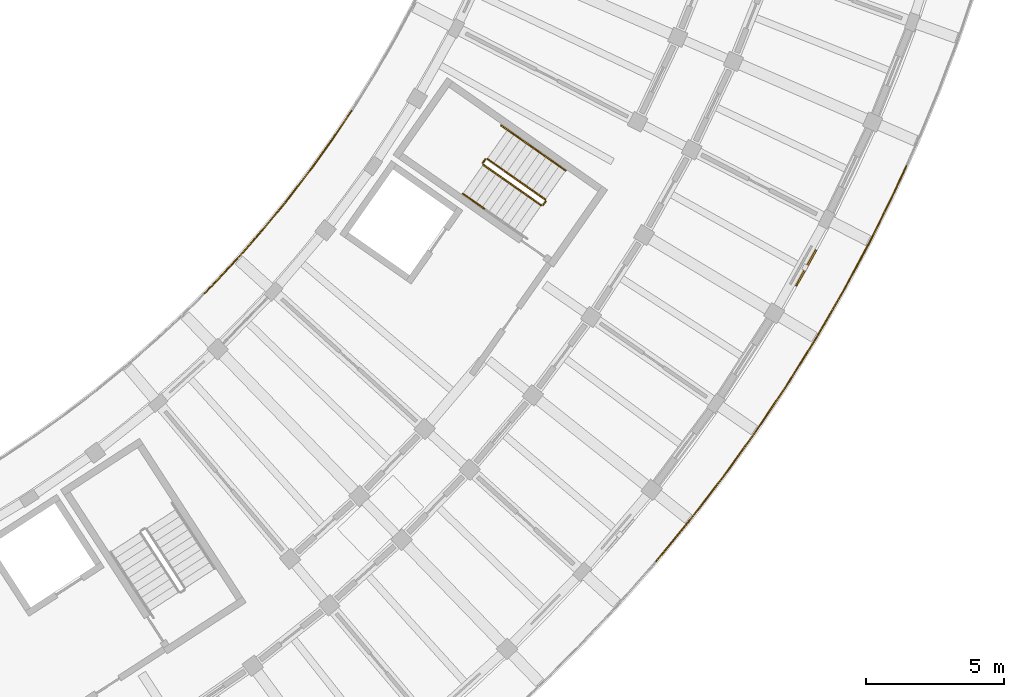
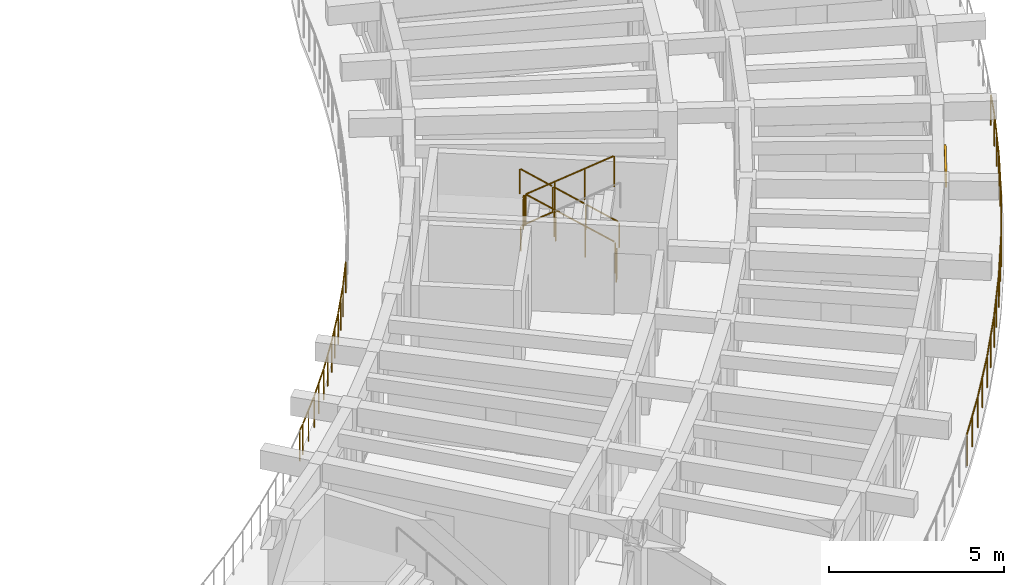
# One storey, part 63 of 69: 11 railings, 1 shading device.
"""IFC4 building model written with IfcOpenShell, lengths in metres."""

from ifc_helpers import new_model, si_unit, direction, frame, origin, origin_2d, place, context, subcontext, project, spatial, rectangle, circle, extrude, material, layer, layer_set, type_object, element, save


model = new_model("IFC4")

# Units and contexts
model_context = context("Model", 3, precision=1e-05, world=origin(), true_north=direction((0.0, 1.0)))
body_context = subcontext(model_context, "Body", "Model", "MODEL_VIEW")
ifc_project = project(units=[si_unit("LENGTHUNIT", "METRE"), si_unit("AREAUNIT", "SQUARE_METRE"), si_unit("VOLUMEUNIT", "CUBIC_METRE"), si_unit("PLANEANGLEUNIT", "RADIAN"), si_unit("MASSUNIT", "GRAM", prefix="KILO")], contexts=[model_context])

# Site, building, storey
site_placement = place(None, origin())
site = spatial("IfcSite", under=ifc_project, at=site_placement, CompositionType="ELEMENT")
building_placement = place(site_placement, origin())
building = spatial("IfcBuilding", under=site, at=building_placement, Name="Tanwirah Colonnade Gardens", CompositionType="ELEMENT")
storey_placement = place(building_placement, frame((0.0, 0.0, 15.56005859375)))
storey = spatial("IfcBuildingStorey", under=building, at=storey_placement, Name="L04", CompositionType="ELEMENT", Elevation=15.56005859375)

# Railings
ifc_material_1 = material(Name="Precast concrete C40/50", Category="concrete")
railing_type_1 = type_object("IfcRailingType", Name="BAL-EXT110", PredefinedType="BALUSTRADE", material=ifc_material_1)
railing_1_placement = place(storey_placement, frame((151.4033203125, 34.55224609375, 0.0)))
element("IfcRailing", 1, at=railing_1_placement, inside=storey, type_object=railing_type_1, Name="Block D L04 Balcony Ribbon Balustrade 4", PredefinedType="BALUSTRADE", context=body_context, shape_type="SweptSolid", body=[
    extrude(circle(Radius=0.02392578125, at=origin_2d()), frame((0.022216796875, 0.02197265625, 1.076171875), z_axis=(0.707849930104, 0.706362850419, 0.0), x_axis=(-0.706362850419, 0.707849930104, 0.0)), (0.0, 0.0, 1.0), 0.265869140625),
    extrude(circle(Radius=0.02392578125, at=origin_2d()), frame((0.255615234375, 0.256591796875, 1.076171875), z_axis=(0.684424509294, 0.729083733928, 0.0), x_axis=(-0.729083733928, 0.684424509294, 0.0)), (0.0, 0.0, 1.0), 1.33154296875),
    extrude(circle(Radius=0.02392578125, at=origin_2d()), frame((1.210693359375, 1.275634765625, 1.076171875), z_axis=(0.660288280901, 0.751012240982, 0.0), x_axis=(-0.751012240982, 0.660288280901, 0.0)), (0.0, 0.0, 1.0), 1.33154296875),
    extrude(circle(Radius=0.02392578125, at=origin_2d()), frame((2.1318359375, 2.325439453125, 1.076171875), z_axis=(0.635209885743, 0.77233956331, 0.0), x_axis=(-0.77233956331, 0.635209885743, 0.0)), (0.0, 0.0, 1.0), 1.33154296875),
    extrude(circle(Radius=0.02392578125, at=origin_2d()), frame((3.018310546875, 3.40478515625, 1.076171875), z_axis=(0.609651512095, 0.792669561546, 0.0), x_axis=(-0.792669561546, 0.609651512095, 0.0)), (0.0, 0.0, 1.0), 1.33154296875),
    extrude(circle(Radius=0.02392578125, at=origin_2d()), frame((3.868896484375, 4.512451171875, 1.076171875), z_axis=(0.58342309678, 0.812168387802, 0.0), x_axis=(-0.812168387802, 0.58342309678, 0.0)), (0.0, 0.0, 1.0), 1.331298828125),
    extrude(circle(Radius=0.02392578125, at=origin_2d()), frame((4.6826171875, 5.647216796875, 1.076171875), z_axis=(0.556551934592, 0.830812821339, 0.0), x_axis=(-0.830812821339, 0.556551934592, 0.0)), (0.0, 0.0, 1.0), 1.123291015625),
    extrude(circle(Radius=0.02099609375, at=origin_2d()), origin(), (0.0, 0.0, 1.0), 1.049072265625),
    extrude(circle(Radius=0.02099609375, at=origin_2d()), frame((0.232421875, 0.23193359375, 0.0)), (0.0, 0.0, 1.0), 1.049072265625),
    extrude(circle(Radius=0.02099609375, at=origin_2d()), frame((0.711181640625, 0.7421875, 0.0)), (0.0, 0.0, 1.0), 1.049072265625),
    extrude(circle(Radius=0.02099609375, at=origin_2d()), frame((1.188232421875, 1.250244140625, 0.0)), (0.0, 0.0, 1.0), 1.049072265625),
    extrude(circle(Radius=0.02099609375, at=origin_2d()), frame((1.650146484375, 1.775634765625, 0.0)), (0.0, 0.0, 1.0), 1.049072265625),
    extrude(circle(Radius=0.02099609375, at=origin_2d()), frame((2.1103515625, 2.299072265625, 0.0)), (0.0, 0.0, 1.0), 1.049072265625),
    extrude(circle(Radius=0.02099609375, at=origin_2d()), frame((2.5546875, 2.839599609375, 0.0)), (0.0, 0.0, 1.0), 1.049072265625),
    extrude(circle(Radius=0.02099609375, at=origin_2d()), frame((2.99755859375, 3.3779296875, 0.0)), (0.0, 0.0, 1.0), 1.049072265625),
    extrude(circle(Radius=0.02099609375, at=origin_2d()), frame((3.42431640625, 3.932373046875, 0.0)), (0.0, 0.0, 1.0), 1.049072265625),
    extrude(circle(Radius=0.02099609375, at=origin_2d()), frame((3.84912109375, 4.48486328125, 0.0)), (0.0, 0.0, 1.0), 1.049072265625),
    extrude(circle(Radius=0.02099609375, at=origin_2d()), frame((4.25732421875, 5.05322265625, 0.0)), (0.0, 0.0, 1.0), 1.049072265625),
    extrude(circle(Radius=0.02099609375, at=origin_2d()), frame((4.663818359375, 5.619140625, 0.0)), (0.0, 0.0, 1.0), 1.049072265625),
    extrude(circle(Radius=0.02099609375, at=origin_2d()), frame((5.3251953125, 6.6064453125, 0.0)), (0.0, 0.0, 1.0), 1.049072265625),
])
railing_2_placement = place(storey_placement, frame((176.82958984375, 39.15869140625, 0.0)))
element("IfcRailing", 2, at=railing_2_placement, inside=storey, type_object=railing_type_1, Name="Block D L04 Balcony Ribbon Balustrade 11", PredefinedType="BALUSTRADE", context=body_context, shape_type="SweptSolid", body=[
    extrude(circle(Radius=0.02392578125, at=origin_2d()), frame((-0.012939453125, -0.028564453125, 1.076171875), z_axis=(-0.413588400832, -0.910463966721, 0.0), x_axis=(0.910463966721, -0.413588400832, 0.0)), (0.0, 0.0, 1.0), 0.96630859375),
    extrude(circle(Radius=0.02392578125, at=origin_2d()), frame((-0.439453125, -0.96484375, 1.076171875), z_axis=(-0.443316350815, -0.896365223054, 0.0), x_axis=(0.896365223054, -0.443316350815, 0.0)), (0.0, 0.0, 1.0), 1.9443359375),
    extrude(circle(Radius=0.02392578125, at=origin_2d()), frame((-1.329833984375, -2.76318359375, 1.076171875), z_axis=(-0.472342962594, -0.881414843129, 0.0), x_axis=(0.881414843129, -0.472342962594, 0.0)), (0.0, 0.0, 1.0), 1.944091796875),
    extrude(circle(Radius=0.02392578125, at=origin_2d()), frame((-2.278564453125, -4.53125, 1.076171875), z_axis=(-0.500940340279, -0.865481816956, 0.0), x_axis=(0.865481816956, -0.500940340279, 0.0)), (0.0, 0.0, 1.0), 1.94384765625),
    extrude(circle(Radius=0.02392578125, at=origin_2d()), frame((-3.28466796875, -6.267333984375, 1.076171875), z_axis=(-0.528970161013, -0.848640423712, 0.0), x_axis=(0.848640423712, -0.528970161013, 0.0)), (0.0, 0.0, 1.0), 1.388671875),
    extrude(circle(Radius=0.02099609375, at=origin_2d()), origin(), (0.0, 0.0, 1.0), 1.049072265625),
    extrude(circle(Radius=0.02099609375, at=origin_2d()), frame((-0.425537109375, -0.936767578125, 0.0)), (0.0, 0.0, 1.0), 1.049072265625),
    extrude(circle(Radius=0.02099609375, at=origin_2d()), frame((-0.870361328125, -1.836181640625, 0.0)), (0.0, 0.0, 1.0), 1.049072265625),
    extrude(circle(Radius=0.02099609375, at=origin_2d()), frame((-1.315185546875, -2.735595703125, 0.0)), (0.0, 0.0, 1.0), 1.049072265625),
    extrude(circle(Radius=0.02099609375, at=origin_2d()), frame((-1.7890625, -3.619873046875, 0.0)), (0.0, 0.0, 1.0), 1.049072265625),
    extrude(circle(Radius=0.02099609375, at=origin_2d()), frame((-2.262939453125, -4.504150390625, 0.0)), (0.0, 0.0, 1.0), 1.049072265625),
    extrude(circle(Radius=0.02099609375, at=origin_2d()), frame((-2.765625, -5.37255859375, 0.0)), (0.0, 0.0, 1.0), 1.049072265625),
    extrude(circle(Radius=0.02099609375, at=origin_2d()), frame((-3.26806640625, -6.24072265625, 0.0)), (0.0, 0.0, 1.0), 1.049072265625),
    extrude(circle(Radius=0.02099609375, at=origin_2d()), frame((-3.65185546875, -6.8564453125, 0.0)), (0.0, 0.0, 1.0), 1.049072265625),
    extrude(circle(Radius=0.02099609375, at=origin_2d()), frame((-4.03564453125, -7.47216796875, 0.0)), (0.0, 0.0, 1.0), 1.049072265625),
])
railing_3_placement = place(storey_placement, frame((172.7939453125, 31.6865234375, 0.0)))
element("IfcRailing", 3, at=railing_3_placement, inside=storey, type_object=railing_type_1, Name="Block D L04 Balcony Ribbon Balustrade 12", PredefinedType="BALUSTRADE", context=body_context, shape_type="SweptSolid", body=[
    extrude(circle(Radius=0.02392578125, at=origin_2d()), frame((-0.0166015625, -0.026611328125, 1.076171875), z_axis=(-0.529090123172, -0.848565637745, 0.0), x_axis=(0.848565637745, -0.529090123172, 0.0)), (0.0, 0.0, 1.0), 0.4931640625),
    extrude(circle(Radius=0.02392578125, at=origin_2d()), frame((-0.311279296875, -0.497314453125, 1.076171875), z_axis=(-0.556495801451, -0.830850421537, 0.0), x_axis=(0.830850421537, -0.556495801451, 0.0)), (0.0, 0.0, 1.0), 1.944091796875),
    extrude(circle(Radius=0.02392578125, at=origin_2d()), frame((-1.428955078125, -2.1640625, 1.076171875), z_axis=(-0.583285007996, -0.812267566413, 0.0), x_axis=(0.812267566413, -0.583285007996, 0.0)), (0.0, 0.0, 1.0), 1.944091796875),
    extrude(circle(Radius=0.02392578125, at=origin_2d()), frame((-2.60009765625, -3.793212890625, 1.076171875), z_axis=(-0.609669601555, -0.7926556484, 0.0), x_axis=(0.7926556484, -0.609669601555, 0.0)), (0.0, 0.0, 1.0), 1.944091796875),
    extrude(circle(Radius=0.02392578125, at=origin_2d()), frame((-3.82421875, -5.38330078125, 1.076171875), z_axis=(-0.635218069505, -0.772332832511, 0.0), x_axis=(0.772332832511, -0.635218069505, 0.0)), (0.0, 0.0, 1.0), 1.8623046875),
    extrude(circle(Radius=0.02099609375, at=origin_2d()), origin(), (0.0, 0.0, 1.0), 1.049072265625),
    extrude(circle(Radius=0.02099609375, at=origin_2d()), frame((-0.2939453125, -0.471435546875, 0.0)), (0.0, 0.0, 1.0), 1.049072265625),
    extrude(circle(Radius=0.02099609375, at=origin_2d()), frame((-0.852294921875, -1.30517578125, 0.0)), (0.0, 0.0, 1.0), 1.049072265625),
    extrude(circle(Radius=0.02099609375, at=origin_2d()), frame((-1.41064453125, -2.138671875, 0.0)), (0.0, 0.0, 1.0), 1.049072265625),
    extrude(circle(Radius=0.02099609375, at=origin_2d()), frame((-1.995849609375, -2.95361328125, 0.0)), (0.0, 0.0, 1.0), 1.049072265625),
    extrude(circle(Radius=0.02099609375, at=origin_2d()), frame((-2.5810546875, -3.7685546875, 0.0)), (0.0, 0.0, 1.0), 1.049072265625),
    extrude(circle(Radius=0.02099609375, at=origin_2d()), frame((-3.19287109375, -4.56396484375, 0.0)), (0.0, 0.0, 1.0), 1.049072265625),
    extrude(circle(Radius=0.02099609375, at=origin_2d()), frame((-3.804443359375, -5.359130859375, 0.0)), (0.0, 0.0, 1.0), 1.049072265625),
    extrude(circle(Radius=0.02099609375, at=origin_2d()), frame((-4.415771484375, -6.1025390625, 0.0)), (0.0, 0.0, 1.0), 1.049072265625),
    extrude(circle(Radius=0.02099609375, at=origin_2d()), frame((-5.027099609375, -6.845703125, 0.0)), (0.0, 0.0, 1.0), 1.049072265625),
])
ifc_material_2 = material(Name="Powder-coated galvanized steel", Category="steel")
railing_type_2 = type_object("IfcRailingType", Name="GRD-ST110", PredefinedType="GUARDRAIL", material=ifc_material_2)
railing_4_placement = place(storey_placement, frame((163.751220703125, 37.94677734375, 0.16796875)))
element("IfcRailing", 4, at=railing_4_placement, inside=storey, type_object=railing_type_2, Name="L04 ST-D2 stair guard 1", PredefinedType="GUARDRAIL", context=body_context, shape_type="SweptSolid", body=[
    extrude(circle(Radius=0.02392578125, at=origin_2d()), frame((-0.02197265625, 0.015380859375, 1.092041015625), z_axis=(-0.705672637115, 0.494118441931, 0.507812066193), x_axis=(-0.573577325805, -0.819151421486, 0.0)), (0.0, 0.0, 1.0), 2.914794921875),
    extrude(circle(Radius=0.02099609375, at=origin_2d()), origin(), (0.0, 0.0, 1.0), 1.049072265625),
    extrude(circle(Radius=0.02099609375, at=origin_2d()), frame((-0.700439453125, 0.490478515625, 0.50390625)), (0.0, 0.0, 1.0), 1.049072265625),
    extrude(circle(Radius=0.02099609375, at=origin_2d()), frame((-1.400634765625, 0.980712890625, 1.008056640625)), (0.0, 0.0, 1.0), 1.049072265625),
    extrude(circle(Radius=0.02099609375, at=origin_2d()), frame((-2.10107421875, 1.47119140625, 1.511962890625)), (0.0, 0.0, 1.0), 1.049072265625),
])
railing_5_placement = place(storey_placement, frame((161.580322265625, 39.40576171875, 1.679931640625)))
element("IfcRailing", 5, at=railing_5_placement, inside=storey, type_object=railing_type_2, Name="L04 ST-D2 stair guard 2", PredefinedType="GUARDRAIL", context=body_context, shape_type="SweptSolid", body=[
    extrude(circle(Radius=0.02392578125, at=origin_2d()), frame((-0.017822265625, -0.025634765625, 1.076171875), z_axis=(-0.572539769307, -0.819876949647, 0.0), x_axis=(0.819876949647, -0.572539769307, 0.0)), (0.0, 0.0, 1.0), 0.097412109375),
    extrude(circle(Radius=0.02099609375, at=origin_2d()), origin(), (0.0, 0.0, 1.0), 1.049072265625),
    extrude(circle(Radius=0.02099609375, at=origin_2d()), frame((-0.091552734375, -0.131103515625, 0.0)), (0.0, 0.0, 1.0), 1.049072265625),
])
railing_6_placement = place(storey_placement, frame((161.5009765625, 39.205078125, 1.847900390625)))
element("IfcRailing", 6, at=railing_6_placement, inside=storey, type_object=railing_type_2, Name="L04 ST-D2 stair guard 3", PredefinedType="GUARDRAIL", context=body_context, shape_type="SweptSolid", body=[
    extrude(circle(Radius=0.02392578125, at=origin_2d()), frame((0.02197265625, -0.015380859375, 1.092041015625), z_axis=(0.705672637115, -0.494118441931, 0.507812066193), x_axis=(0.573577325805, 0.819151421486, 0.0)), (0.0, 0.0, 1.0), 2.914794921875),
    extrude(circle(Radius=0.02099609375, at=origin_2d()), origin(), (0.0, 0.0, 1.0), 1.049072265625),
    extrude(circle(Radius=0.02099609375, at=origin_2d()), frame((0.700439453125, -0.490478515625, 0.50390625)), (0.0, 0.0, 1.0), 1.049072265625),
    extrude(circle(Radius=0.02099609375, at=origin_2d()), frame((1.400634765625, -0.980712890625, 1.008056640625)), (0.0, 0.0, 1.0), 1.049072265625),
    extrude(circle(Radius=0.02099609375, at=origin_2d()), frame((2.10107421875, -1.47119140625, 1.511962890625)), (0.0, 0.0, 1.0), 1.049072265625),
])
railing_7_placement = place(storey_placement, frame((163.763427734375, 37.877197265625, 0.0)))
element("IfcRailing", 7, at=railing_7_placement, inside=storey, type_object=railing_type_2, Name="L04 ST-D2 stair guard 4", PredefinedType="GUARDRAIL", context=body_context, shape_type="SweptSolid", body=[
    extrude(circle(Radius=0.02392578125, at=origin_2d()), frame((-0.017822265625, -0.025634765625, 1.076171875), z_axis=(-0.57356471828, -0.819160249246, 0.0), x_axis=(0.819160249246, -0.57356471828, 0.0)), (0.0, 0.0, 1.0), 0.097412109375),
    extrude(circle(Radius=0.02099609375, at=origin_2d()), origin(), (0.0, 0.0, 1.0), 1.049072265625),
    extrude(circle(Radius=0.02099609375, at=origin_2d()), frame((-0.091796875, -0.131103515625, 0.0)), (0.0, 0.0, 1.0), 1.049072265625),
])
ifc_material_3 = material(Name="Brushed bronze stainless steel", Category="steel")
railing_type_3 = type_object("IfcRailingType", Name="HR-ST090", PredefinedType="HANDRAIL", material=ifc_material_3)
railing_8_placement = place(storey_placement, frame((164.4853515625, 38.995361328125, 0.16796875)))
element("IfcRailing", 8, at=railing_8_placement, inside=storey, type_object=railing_type_3, Name="L04 ST-D2 stair handrail 1", PredefinedType="HANDRAIL", context=body_context, shape_type="SweptSolid", body=[
    extrude(circle(Radius=0.02392578125, at=origin_2d()), frame((-0.02197265625, 0.015380859375, 0.891845703125), z_axis=(-0.703686044561, 0.492823109966, 0.511811814023), x_axis=(-0.57365206981, -0.819099079967, 0.0)), (0.0, 0.0, 1.0), 1.043212890625),
    extrude(circle(Radius=0.02099609375, at=origin_2d()), origin(), (0.0, 0.0, 1.0), 0.848876953125),
    extrude(circle(Radius=0.02099609375, at=origin_2d()), frame((-0.778076171875, 0.544921875, 0.56591796875)), (0.0, 0.0, 1.0), 0.848876953125),
])
railing_9_placement = place(storey_placement, frame((163.707275390625, 39.540283203125, 0.73388671875)))
element("IfcRailing", 9, at=railing_9_placement, inside=storey, type_object=railing_type_3, Name="L04 ST-D2 stair handrail 2", PredefinedType="HANDRAIL", context=body_context, shape_type="SweptSolid", body=[
    extrude(circle(Radius=0.02392578125, at=origin_2d()), frame((-0.02197265625, 0.015380859375, 0.891845703125), z_axis=(-0.703717970253, 0.492690875033, 0.511895223656), x_axis=(-0.573531324472, -0.819183630115, 0.0)), (0.0, 0.0, 1.0), 1.04345703125),
    extrude(circle(Radius=0.02099609375, at=origin_2d()), origin(), (0.0, 0.0, 1.0), 0.848876953125),
    extrude(circle(Radius=0.02099609375, at=origin_2d()), frame((-0.7783203125, 0.544921875, 0.566162109375)), (0.0, 0.0, 1.0), 0.848876953125),
])
railing_10_placement = place(storey_placement, frame((162.928955078125, 40.085205078125, 1.300048828125)))
element("IfcRailing", 10, at=railing_10_placement, inside=storey, type_object=railing_type_3, Name="L04 ST-D2 stair handrail 3", PredefinedType="HANDRAIL", context=body_context, shape_type="SweptSolid", body=[
    extrude(circle(Radius=0.02392578125, at=origin_2d()), frame((-0.02197265625, 0.015380859375, 0.891845703125), z_axis=(-0.703686044561, 0.492823109966, 0.511811814023), x_axis=(-0.57365206981, -0.819099079967, 0.0)), (0.0, 0.0, 1.0), 1.043212890625),
    extrude(circle(Radius=0.02099609375, at=origin_2d()), origin(), (0.0, 0.0, 1.0), 0.848876953125),
    extrude(circle(Radius=0.02099609375, at=origin_2d()), frame((-0.778076171875, 0.544921875, 0.56591796875)), (0.0, 0.0, 1.0), 0.848876953125),
])
railing_11_placement = place(storey_placement, frame((160.766845703125, 38.156494140625, 1.847900390625)))
element("IfcRailing", 11, at=railing_11_placement, inside=storey, type_object=railing_type_3, Name="L04 ST-D2 stair handrail 4", PredefinedType="HANDRAIL", context=body_context, shape_type="SweptSolid", body=[
    extrude(circle(Radius=0.02392578125, at=origin_2d()), frame((0.02197265625, -0.015380859375, 0.891845703125), z_axis=(0.703606519106, -0.492767414699, 0.511974746723), x_axis=(0.57365206981, 0.819099079967, 0.0)), (0.0, 0.0, 1.0), 1.043212890625),
    extrude(circle(Radius=0.02099609375, at=origin_2d()), origin(), (0.0, 0.0, 1.0), 0.848876953125),
    extrude(circle(Radius=0.02099609375, at=origin_2d()), frame((0.778076171875, -0.544921875, 0.566162109375)), (0.0, 0.0, 1.0), 0.848876953125),
])

# Shading device
ifc_material_4 = material(Name="Perforated architectural bronze aluminium", Category="aluminium")
ifc_layer = layer(ifc_material_4, 0.050048828125)
ifc_layer_set = layer_set([ifc_layer], Name="Perforated architectural bronze aluminium")
shading_device_type = type_object("IfcShadingDeviceType", Name="SHD-OVH1", PredefinedType="SHUTTER", material=ifc_layer_set)
shading_device_placement = place(storey_placement, frame((173.202392578125, 35.46630859375, 1.86474609375), z_axis=(0.0, 0.0, 1.0), x_axis=(0.486717384336, 0.873559492985, 0.0)))
element("IfcShadingDevice", 12, at=shading_device_placement, inside=storey, type_object=shading_device_type, Name="Solar shading louver hood D-L04-12", PredefinedType="SHUTTER", context=body_context, shape_type="SweptSolid", body=[
    extrude(rectangle(XDim=1.5, YDim=0.06005859375, at=origin_2d()), origin(), (0.0, 0.0, 1.0), 0.449951171875),
])

save(model, "model.ifc")
